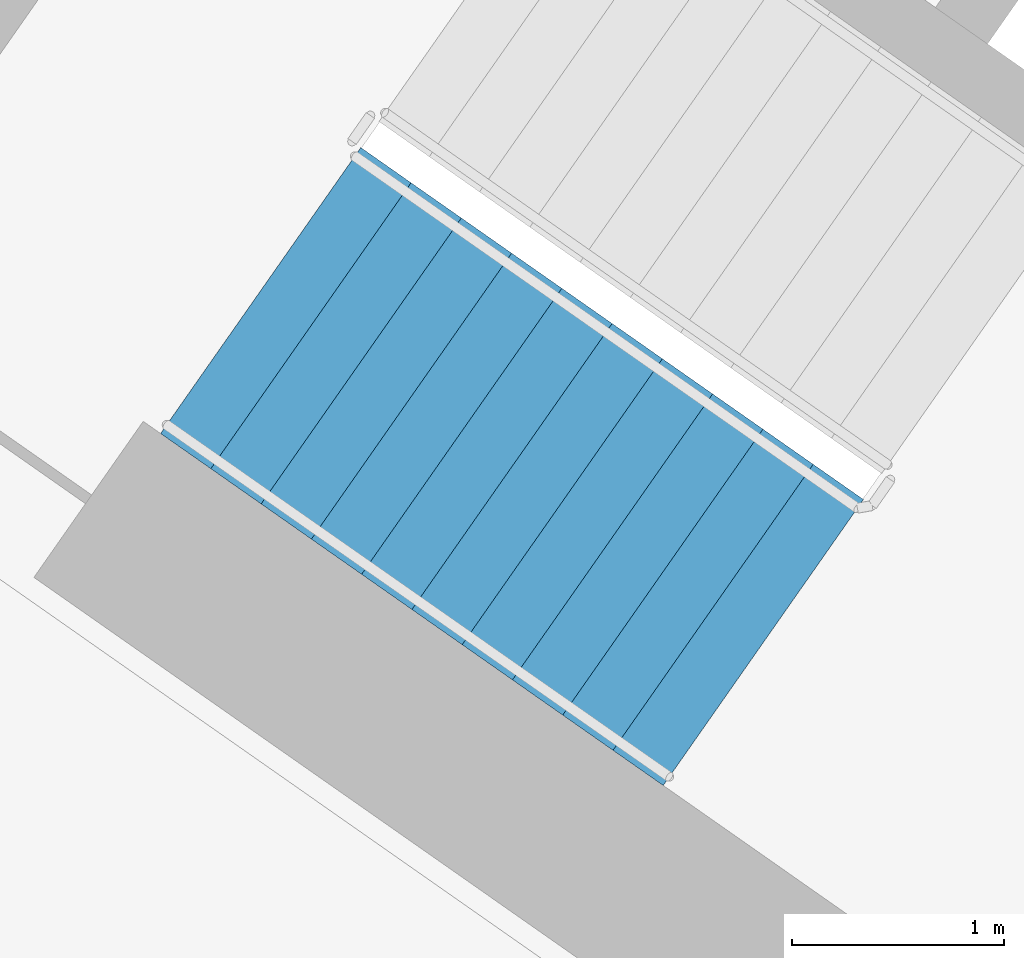
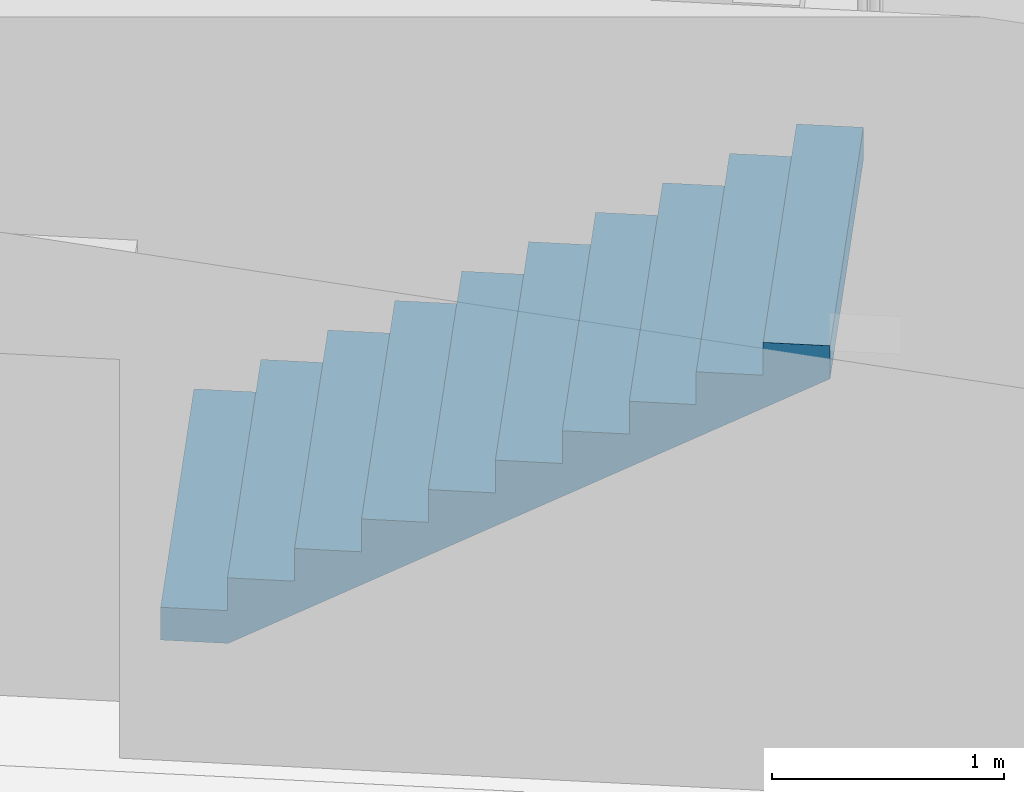
# One storey, part 10 of 31: 1 stair flight, 1 element without a shape of its own.
"""IFC4 building model written with IfcOpenShell, lengths in metres."""

from ifc_helpers import new_model, si_unit, direction, frame, origin, place, context, subcontext, project, spatial, faceted_brep, material, type_object, element, aggregate, save


model = new_model("IFC4")

# Units and contexts
model_context = context("Model", 3, precision=1e-05, world=origin(), true_north=direction((0.0, 1.0)))
body_context = subcontext(model_context, "Body", "Model", "MODEL_VIEW")
ifc_project = project(units=[si_unit("LENGTHUNIT", "METRE"), si_unit("AREAUNIT", "SQUARE_METRE"), si_unit("VOLUMEUNIT", "CUBIC_METRE"), si_unit("PLANEANGLEUNIT", "RADIAN"), si_unit("MASSUNIT", "GRAM", prefix="KILO")], contexts=[model_context])

# Site, building, storey
site_placement = place(None, origin())
site = spatial("IfcSite", under=ifc_project, at=site_placement, CompositionType="ELEMENT")
building_placement = place(site_placement, origin())
building = spatial("IfcBuilding", under=site, at=building_placement, Name="Qamariyya Broadcast Tower", CompositionType="ELEMENT")
storey_placement = place(building_placement, frame((0.0, 0.0, 55.699951171875)))
storey = spatial("IfcBuildingStorey", under=building, at=storey_placement, Name="L10", CompositionType="ELEMENT", Elevation=55.699951171875)

# Stair, stair flight
ifc_material = material(Name="Concrete C50/60", Category="concrete")
stair_type = type_object("IfcStairType", Name="Exit stair 22 risers of 173 mm", PredefinedType="HALF_TURN_STAIR", material=ifc_material)
stair_placement = place(storey_placement, origin())
stair = element("IfcStair", 1, at=stair_placement, inside=storey, type_object=stair_type, Name="L10 Stair W1", PredefinedType="HALF_TURN_STAIR")
stair_flight_type = type_object("IfcStairFlightType", Name="Exit stair flight 11 risers of 173 mm", PredefinedType="STRAIGHT", material=ifc_material)
stair_flight_placement = place(storey_placement, frame((-47.06884765625, -56.982666015625, 0.0), z_axis=(0.0, 0.0, 1.0), x_axis=(0.819152044289, -0.573576436351, 0.0)))
stair_flight = element("IfcStairFlight", 2, at=stair_flight_placement, type_object=stair_flight_type, Name="ST-W1 flight 1", NumberOfRisers=11, NumberOfTreads=10, PredefinedType="STRAIGHT", RiserHeight=0.172727273, TreadLength=0.29, context=body_context, shape_type="Brep", body=[
    faceted_brep([(0.0, 0.824951171875, 0.0), (0.0, 0.824951171875, 0.172607421875), (0.2900390625, 0.824951171875, 0.172607421875), (0.2900390625, 0.824951171875, 0.345458984375), (0.580078125, 0.824951171875, 0.345458984375), (0.580078125, 0.824951171875, 0.51806640625), (0.8701171875, 0.824951171875, 0.51806640625), (0.8701171875, 0.824951171875, 0.69091796875), (1.159912109375, 0.824951171875, 0.69091796875), (1.159912109375, 0.824951171875, 0.863525390625), (1.449951171875, 0.824951171875, 0.863525390625), (1.449951171875, 0.824951171875, 1.036376953125), (1.739990234375, 0.824951171875, 1.036376953125), (1.739990234375, 0.824951171875, 1.208984375), (2.030029296875, 0.824951171875, 1.208984375), (2.030029296875, 0.824951171875, 1.3818359375), (2.320068359375, 0.824951171875, 1.3818359375), (2.320068359375, 0.824951171875, 1.554443359375), (2.610107421875, 0.824951171875, 1.554443359375), (2.610107421875, 0.824951171875, 1.727294921875), (2.89990234375, 0.824951171875, 1.727294921875), (2.89990234375, 0.824951171875, 1.552734375), (0.29296875, 0.824951171875, 0.0), (0.29296875, -0.824951171875, 0.0), (2.89990234375, -0.824951171875, 1.552734375), (2.89990234375, -0.824951171875, 1.727294921875), (2.610107421875, -0.824951171875, 1.727294921875), (2.610107421875, -0.824951171875, 1.554443359375), (2.320068359375, -0.824951171875, 1.554443359375), (2.320068359375, -0.824951171875, 1.3818359375), (2.030029296875, -0.824951171875, 1.3818359375), (2.030029296875, -0.824951171875, 1.208984375), (1.739990234375, -0.824951171875, 1.208984375), (1.739990234375, -0.824951171875, 1.036376953125), (1.449951171875, -0.824951171875, 1.036376953125), (1.449951171875, -0.824951171875, 0.863525390625), (1.159912109375, -0.824951171875, 0.863525390625), (1.159912109375, -0.824951171875, 0.69091796875), (0.8701171875, -0.824951171875, 0.69091796875), (0.8701171875, -0.824951171875, 0.51806640625), (0.580078125, -0.824951171875, 0.51806640625), (0.580078125, -0.824951171875, 0.345458984375), (0.2900390625, -0.824951171875, 0.345458984375), (0.2900390625, -0.824951171875, 0.172607421875), (0.0, -0.824951171875, 0.172607421875), (0.0, -0.824951171875, 0.0), (0.0, 0.10009765625, 0.0), (0.0, 0.086669921875, 0.0), (0.0, 0.0732421875, 0.0), (0.0, 0.06005859375, 0.0), (0.0, 0.046630859375, 0.0), (0.0, 0.033447265625, 0.0), (0.0, 0.02001953125, 0.0), (0.0, 0.006591796875, 0.0), (0.0, -0.006591796875, 0.0), (0.0, -0.02001953125, 0.0), (0.0, -0.033447265625, 0.0), (0.0, -0.046630859375, 0.0), (0.0, -0.06005859375, 0.0), (0.0, -0.0732421875, 0.0), (0.0, -0.086669921875, 0.0), (0.0, -0.10009765625, 0.0), (0.0, -0.10009765625, 0.172607421875), (0.0, -0.086669921875, 0.172607421875), (0.0, -0.0732421875, 0.172607421875), (0.0, -0.06005859375, 0.172607421875), (0.0, -0.046630859375, 0.172607421875), (0.0, -0.033447265625, 0.172607421875), (0.0, -0.02001953125, 0.172607421875), (0.0, -0.006591796875, 0.172607421875), (0.0, 0.006591796875, 0.172607421875), (0.0, 0.02001953125, 0.172607421875), (0.0, 0.033447265625, 0.172607421875), (0.0, 0.046630859375, 0.172607421875), (0.0, 0.06005859375, 0.172607421875), (0.0, 0.0732421875, 0.172607421875), (0.0, 0.086669921875, 0.172607421875), (0.0, 0.10009765625, 0.172607421875), (0.2900390625, -0.10009765625, 0.172607421875), (0.2900390625, -0.086669921875, 0.172607421875), (0.2900390625, -0.0732421875, 0.172607421875), (0.2900390625, -0.06005859375, 0.172607421875), (0.2900390625, -0.046630859375, 0.172607421875), (0.2900390625, -0.033447265625, 0.172607421875), (0.2900390625, -0.02001953125, 0.172607421875), (0.2900390625, -0.006591796875, 0.172607421875), (0.2900390625, 0.006591796875, 0.172607421875), (0.2900390625, 0.02001953125, 0.172607421875), (0.2900390625, 0.033447265625, 0.172607421875), (0.2900390625, 0.046630859375, 0.172607421875), (0.2900390625, 0.06005859375, 0.172607421875), (0.2900390625, 0.0732421875, 0.172607421875), (0.2900390625, 0.086669921875, 0.172607421875), (0.2900390625, 0.10009765625, 0.172607421875), (0.2900390625, -0.10009765625, 0.345458984375), (0.2900390625, -0.086669921875, 0.345458984375), (0.2900390625, -0.0732421875, 0.345458984375), (0.2900390625, -0.06005859375, 0.345458984375), (0.2900390625, -0.046630859375, 0.345458984375), (0.2900390625, -0.033447265625, 0.345458984375), (0.2900390625, -0.02001953125, 0.345458984375), (0.2900390625, -0.006591796875, 0.345458984375), (0.2900390625, 0.006591796875, 0.345458984375), (0.2900390625, 0.02001953125, 0.345458984375), (0.2900390625, 0.033447265625, 0.345458984375), (0.2900390625, 0.046630859375, 0.345458984375), (0.2900390625, 0.06005859375, 0.345458984375), (0.2900390625, 0.0732421875, 0.345458984375), (0.2900390625, 0.086669921875, 0.345458984375), (0.2900390625, 0.10009765625, 0.345458984375), (0.580078125, -0.10009765625, 0.345458984375), (0.580078125, -0.086669921875, 0.345458984375), (0.580078125, -0.0732421875, 0.345458984375), (0.580078125, -0.06005859375, 0.345458984375), (0.580078125, -0.046630859375, 0.345458984375), (0.580078125, -0.033447265625, 0.345458984375), (0.580078125, -0.02001953125, 0.345458984375), (0.580078125, -0.006591796875, 0.345458984375), (0.580078125, 0.006591796875, 0.345458984375), (0.580078125, 0.02001953125, 0.345458984375), (0.580078125, 0.033447265625, 0.345458984375), (0.580078125, 0.046630859375, 0.345458984375), (0.580078125, 0.06005859375, 0.345458984375), (0.580078125, 0.0732421875, 0.345458984375), (0.580078125, 0.086669921875, 0.345458984375), (0.580078125, 0.10009765625, 0.345458984375), (0.580078125, -0.10009765625, 0.51806640625), (0.580078125, -0.086669921875, 0.51806640625), (0.580078125, -0.0732421875, 0.51806640625), (0.580078125, -0.06005859375, 0.51806640625), (0.580078125, -0.046630859375, 0.51806640625), (0.580078125, -0.033447265625, 0.51806640625), (0.580078125, -0.02001953125, 0.51806640625), (0.580078125, -0.006591796875, 0.51806640625), (0.580078125, 0.006591796875, 0.51806640625), (0.580078125, 0.02001953125, 0.51806640625), (0.580078125, 0.033447265625, 0.51806640625), (0.580078125, 0.046630859375, 0.51806640625), (0.580078125, 0.06005859375, 0.51806640625), (0.580078125, 0.0732421875, 0.51806640625), (0.580078125, 0.086669921875, 0.51806640625), (0.580078125, 0.10009765625, 0.51806640625), (0.8701171875, -0.10009765625, 0.51806640625), (0.8701171875, -0.086669921875, 0.51806640625), (0.8701171875, -0.0732421875, 0.51806640625), (0.8701171875, -0.06005859375, 0.51806640625), (0.8701171875, -0.046630859375, 0.51806640625), (0.8701171875, -0.033447265625, 0.51806640625), (0.8701171875, -0.02001953125, 0.51806640625), (0.8701171875, -0.006591796875, 0.51806640625), (0.8701171875, 0.006591796875, 0.51806640625), (0.8701171875, 0.02001953125, 0.51806640625), (0.8701171875, 0.033447265625, 0.51806640625), (0.8701171875, 0.046630859375, 0.51806640625), (0.8701171875, 0.06005859375, 0.51806640625), (0.8701171875, 0.0732421875, 0.51806640625), (0.8701171875, 0.086669921875, 0.51806640625), (0.8701171875, 0.10009765625, 0.51806640625), (0.8701171875, -0.10009765625, 0.69091796875), (0.8701171875, -0.086669921875, 0.69091796875), (0.8701171875, -0.0732421875, 0.69091796875), (0.8701171875, -0.06005859375, 0.69091796875), (0.8701171875, -0.046630859375, 0.69091796875), (0.8701171875, -0.033447265625, 0.69091796875), (0.8701171875, -0.02001953125, 0.69091796875), (0.8701171875, -0.006591796875, 0.69091796875), (0.8701171875, 0.006591796875, 0.69091796875), (0.8701171875, 0.02001953125, 0.69091796875), (0.8701171875, 0.033447265625, 0.69091796875), (0.8701171875, 0.046630859375, 0.69091796875), (0.8701171875, 0.06005859375, 0.69091796875), (0.8701171875, 0.0732421875, 0.69091796875), (0.8701171875, 0.086669921875, 0.69091796875), (0.8701171875, 0.10009765625, 0.69091796875), (1.159912109375, -0.10009765625, 0.69091796875), (1.159912109375, -0.086669921875, 0.69091796875), (1.159912109375, -0.0732421875, 0.69091796875), (1.159912109375, -0.06005859375, 0.69091796875), (1.159912109375, -0.046630859375, 0.69091796875), (1.159912109375, -0.033447265625, 0.69091796875), (1.159912109375, -0.02001953125, 0.69091796875), (1.159912109375, -0.006591796875, 0.69091796875), (1.159912109375, 0.006591796875, 0.69091796875), (1.159912109375, 0.02001953125, 0.69091796875), (1.159912109375, 0.033447265625, 0.69091796875), (1.159912109375, 0.046630859375, 0.69091796875), (1.159912109375, 0.06005859375, 0.69091796875), (1.159912109375, 0.0732421875, 0.69091796875), (1.159912109375, 0.086669921875, 0.69091796875), (1.159912109375, 0.10009765625, 0.69091796875), (1.159912109375, -0.10009765625, 0.863525390625), (1.159912109375, -0.086669921875, 0.863525390625), (1.159912109375, -0.0732421875, 0.863525390625), (1.159912109375, -0.06005859375, 0.863525390625), (1.159912109375, -0.046630859375, 0.863525390625), (1.159912109375, -0.033447265625, 0.863525390625), (1.159912109375, -0.02001953125, 0.863525390625), (1.159912109375, -0.006591796875, 0.863525390625), (1.159912109375, 0.006591796875, 0.863525390625), (1.159912109375, 0.02001953125, 0.863525390625), (1.159912109375, 0.033447265625, 0.863525390625), (1.159912109375, 0.046630859375, 0.863525390625), (1.159912109375, 0.06005859375, 0.863525390625), (1.159912109375, 0.0732421875, 0.863525390625), (1.159912109375, 0.086669921875, 0.863525390625), (1.159912109375, 0.10009765625, 0.863525390625), (1.449951171875, -0.10009765625, 0.863525390625), (1.449951171875, -0.086669921875, 0.863525390625), (1.449951171875, -0.0732421875, 0.863525390625), (1.449951171875, -0.06005859375, 0.863525390625), (1.449951171875, -0.046630859375, 0.863525390625), (1.449951171875, -0.033447265625, 0.863525390625), (1.449951171875, -0.02001953125, 0.863525390625), (1.449951171875, -0.006591796875, 0.863525390625), (1.449951171875, 0.006591796875, 0.863525390625), (1.449951171875, 0.02001953125, 0.863525390625), (1.449951171875, 0.033447265625, 0.863525390625), (1.449951171875, 0.046630859375, 0.863525390625), (1.449951171875, 0.06005859375, 0.863525390625), (1.449951171875, 0.0732421875, 0.863525390625), (1.449951171875, 0.086669921875, 0.863525390625), (1.449951171875, 0.10009765625, 0.863525390625), (1.449951171875, -0.10009765625, 1.036376953125), (1.449951171875, -0.086669921875, 1.036376953125), (1.449951171875, -0.0732421875, 1.036376953125), (1.449951171875, -0.06005859375, 1.036376953125), (1.449951171875, -0.046630859375, 1.036376953125), (1.449951171875, -0.033447265625, 1.036376953125), (1.449951171875, -0.02001953125, 1.036376953125), (1.449951171875, -0.006591796875, 1.036376953125), (1.449951171875, 0.006591796875, 1.036376953125), (1.449951171875, 0.02001953125, 1.036376953125), (1.449951171875, 0.033447265625, 1.036376953125), (1.449951171875, 0.046630859375, 1.036376953125), (1.449951171875, 0.06005859375, 1.036376953125), (1.449951171875, 0.0732421875, 1.036376953125), (1.449951171875, 0.086669921875, 1.036376953125), (1.449951171875, 0.10009765625, 1.036376953125), (1.739990234375, -0.10009765625, 1.036376953125), (1.739990234375, -0.086669921875, 1.036376953125), (1.739990234375, -0.0732421875, 1.036376953125), (1.739990234375, -0.06005859375, 1.036376953125), (1.739990234375, -0.046630859375, 1.036376953125), (1.739990234375, -0.033447265625, 1.036376953125), (1.739990234375, -0.02001953125, 1.036376953125), (1.739990234375, -0.006591796875, 1.036376953125), (1.739990234375, 0.006591796875, 1.036376953125), (1.739990234375, 0.02001953125, 1.036376953125), (1.739990234375, 0.033447265625, 1.036376953125), (1.739990234375, 0.046630859375, 1.036376953125), (1.739990234375, 0.06005859375, 1.036376953125), (1.739990234375, 0.0732421875, 1.036376953125), (1.739990234375, 0.086669921875, 1.036376953125), (1.739990234375, 0.10009765625, 1.036376953125), (1.739990234375, -0.10009765625, 1.208984375), (1.739990234375, -0.086669921875, 1.208984375), (1.739990234375, -0.0732421875, 1.208984375), (1.739990234375, -0.06005859375, 1.208984375), (1.739990234375, -0.046630859375, 1.208984375), (1.739990234375, -0.033447265625, 1.208984375), (1.739990234375, -0.02001953125, 1.208984375), (1.739990234375, -0.006591796875, 1.208984375), (1.739990234375, 0.006591796875, 1.208984375), (1.739990234375, 0.02001953125, 1.208984375), (1.739990234375, 0.033447265625, 1.208984375), (1.739990234375, 0.046630859375, 1.208984375), (1.739990234375, 0.06005859375, 1.208984375), (1.739990234375, 0.0732421875, 1.208984375), (1.739990234375, 0.086669921875, 1.208984375), (1.739990234375, 0.10009765625, 1.208984375), (2.030029296875, -0.10009765625, 1.208984375), (2.030029296875, -0.086669921875, 1.208984375), (2.030029296875, -0.0732421875, 1.208984375), (2.030029296875, -0.06005859375, 1.208984375), (2.030029296875, -0.046630859375, 1.208984375), (2.030029296875, -0.033447265625, 1.208984375), (2.030029296875, -0.02001953125, 1.208984375), (2.030029296875, -0.006591796875, 1.208984375), (2.030029296875, 0.006591796875, 1.208984375), (2.030029296875, 0.02001953125, 1.208984375), (2.030029296875, 0.033447265625, 1.208984375), (2.030029296875, 0.046630859375, 1.208984375), (2.030029296875, 0.06005859375, 1.208984375), (2.030029296875, 0.0732421875, 1.208984375), (2.030029296875, 0.086669921875, 1.208984375), (2.030029296875, 0.10009765625, 1.208984375), (2.030029296875, -0.10009765625, 1.3818359375), (2.030029296875, -0.086669921875, 1.3818359375), (2.030029296875, -0.0732421875, 1.3818359375), (2.030029296875, -0.06005859375, 1.3818359375), (2.030029296875, -0.046630859375, 1.3818359375), (2.030029296875, -0.033447265625, 1.3818359375), (2.030029296875, -0.02001953125, 1.3818359375), (2.030029296875, -0.006591796875, 1.3818359375), (2.030029296875, 0.006591796875, 1.3818359375), (2.030029296875, 0.02001953125, 1.3818359375), (2.030029296875, 0.033447265625, 1.3818359375), (2.030029296875, 0.046630859375, 1.3818359375), (2.030029296875, 0.06005859375, 1.3818359375), (2.030029296875, 0.0732421875, 1.3818359375), (2.030029296875, 0.086669921875, 1.3818359375), (2.030029296875, 0.10009765625, 1.3818359375), (2.320068359375, -0.10009765625, 1.3818359375), (2.320068359375, -0.086669921875, 1.3818359375), (2.320068359375, -0.0732421875, 1.3818359375), (2.320068359375, -0.06005859375, 1.3818359375), (2.320068359375, -0.046630859375, 1.3818359375), (2.320068359375, -0.033447265625, 1.3818359375), (2.320068359375, -0.02001953125, 1.3818359375), (2.320068359375, -0.006591796875, 1.3818359375), (2.320068359375, 0.006591796875, 1.3818359375), (2.320068359375, 0.02001953125, 1.3818359375), (2.320068359375, 0.033447265625, 1.3818359375), (2.320068359375, 0.046630859375, 1.3818359375), (2.320068359375, 0.06005859375, 1.3818359375), (2.320068359375, 0.0732421875, 1.3818359375), (2.320068359375, 0.086669921875, 1.3818359375), (2.320068359375, 0.10009765625, 1.3818359375), (2.320068359375, -0.10009765625, 1.554443359375), (2.320068359375, -0.086669921875, 1.554443359375), (2.320068359375, -0.0732421875, 1.554443359375), (2.320068359375, -0.06005859375, 1.554443359375), (2.320068359375, -0.046630859375, 1.554443359375), (2.320068359375, -0.033447265625, 1.554443359375), (2.320068359375, -0.02001953125, 1.554443359375), (2.320068359375, -0.006591796875, 1.554443359375), (2.320068359375, 0.006591796875, 1.554443359375), (2.320068359375, 0.02001953125, 1.554443359375), (2.320068359375, 0.033447265625, 1.554443359375), (2.320068359375, 0.046630859375, 1.554443359375), (2.320068359375, 0.06005859375, 1.554443359375), (2.320068359375, 0.0732421875, 1.554443359375), (2.320068359375, 0.086669921875, 1.554443359375), (2.320068359375, 0.10009765625, 1.554443359375), (2.610107421875, -0.10009765625, 1.554443359375), (2.610107421875, -0.086669921875, 1.554443359375), (2.610107421875, -0.0732421875, 1.554443359375), (2.610107421875, -0.06005859375, 1.554443359375), (2.610107421875, -0.046630859375, 1.554443359375), (2.610107421875, -0.033447265625, 1.554443359375), (2.610107421875, -0.02001953125, 1.554443359375), (2.610107421875, -0.006591796875, 1.554443359375), (2.610107421875, 0.006591796875, 1.554443359375), (2.610107421875, 0.02001953125, 1.554443359375), (2.610107421875, 0.033447265625, 1.554443359375), (2.610107421875, 0.046630859375, 1.554443359375), (2.610107421875, 0.06005859375, 1.554443359375), (2.610107421875, 0.0732421875, 1.554443359375), (2.610107421875, 0.086669921875, 1.554443359375), (2.610107421875, 0.10009765625, 1.554443359375), (2.610107421875, -0.10009765625, 1.727294921875), (2.610107421875, -0.086669921875, 1.727294921875), (2.610107421875, -0.0732421875, 1.727294921875), (2.610107421875, -0.06005859375, 1.727294921875), (2.610107421875, -0.046630859375, 1.727294921875), (2.610107421875, -0.033447265625, 1.727294921875), (2.610107421875, -0.02001953125, 1.727294921875), (2.610107421875, -0.006591796875, 1.727294921875), (2.610107421875, 0.006591796875, 1.727294921875), (2.610107421875, 0.02001953125, 1.727294921875), (2.610107421875, 0.033447265625, 1.727294921875), (2.610107421875, 0.046630859375, 1.727294921875), (2.610107421875, 0.06005859375, 1.727294921875), (2.610107421875, 0.0732421875, 1.727294921875), (2.610107421875, 0.086669921875, 1.727294921875), (2.610107421875, 0.10009765625, 1.727294921875), (2.89990234375, -0.10009765625, 1.727294921875), (2.89990234375, -0.086669921875, 1.727294921875), (2.89990234375, -0.0732421875, 1.727294921875), (2.89990234375, -0.06005859375, 1.727294921875), (2.89990234375, -0.046630859375, 1.727294921875), (2.89990234375, -0.033447265625, 1.727294921875), (2.89990234375, -0.02001953125, 1.727294921875), (2.89990234375, -0.006591796875, 1.727294921875), (2.89990234375, 0.006591796875, 1.727294921875), (2.89990234375, 0.02001953125, 1.727294921875), (2.89990234375, 0.033447265625, 1.727294921875), (2.89990234375, 0.046630859375, 1.727294921875), (2.89990234375, 0.06005859375, 1.727294921875), (2.89990234375, 0.0732421875, 1.727294921875), (2.89990234375, 0.086669921875, 1.727294921875), (2.89990234375, 0.10009765625, 1.727294921875), (2.89990234375, -0.10009765625, 1.552734375), (2.89990234375, -0.086669921875, 1.552734375), (2.89990234375, -0.0732421875, 1.552734375), (2.89990234375, -0.06005859375, 1.552734375), (2.89990234375, -0.046630859375, 1.552734375), (2.89990234375, -0.033447265625, 1.552734375), (2.89990234375, -0.02001953125, 1.552734375), (2.89990234375, -0.006591796875, 1.552734375), (2.89990234375, 0.006591796875, 1.552734375), (2.89990234375, 0.02001953125, 1.552734375), (2.89990234375, 0.033447265625, 1.552734375), (2.89990234375, 0.046630859375, 1.552734375), (2.89990234375, 0.06005859375, 1.552734375), (2.89990234375, 0.0732421875, 1.552734375), (2.89990234375, 0.086669921875, 1.552734375), (2.89990234375, 0.10009765625, 1.552734375), (0.29296875, -0.10009765625, 0.0), (0.29296875, -0.086669921875, 0.0), (0.29296875, -0.0732421875, 0.0), (0.29296875, -0.06005859375, 0.0), (0.29296875, -0.046630859375, 0.0), (0.29296875, -0.033447265625, 0.0), (0.29296875, -0.02001953125, 0.0), (0.29296875, -0.006591796875, 0.0), (0.29296875, 0.006591796875, 0.0), (0.29296875, 0.02001953125, 0.0), (0.29296875, 0.033447265625, 0.0), (0.29296875, 0.046630859375, 0.0), (0.29296875, 0.06005859375, 0.0), (0.29296875, 0.0732421875, 0.0), (0.29296875, 0.086669921875, 0.0), (0.29296875, 0.10009765625, 0.0)], [[[0, 1, 2, 3, 4, 5, 6, 7, 8, 9, 10, 11, 12, 13, 14, 15, 16, 17, 18, 19, 20, 21, 22]], [[23, 24, 25, 26, 27, 28, 29, 30, 31, 32, 33, 34, 35, 36, 37, 38, 39, 40, 41, 42, 43, 44, 45]], [[0, 46, 47, 48, 49, 50, 51, 52, 53, 54, 55, 56, 57, 58, 59, 60, 61, 45, 44, 62, 63, 64, 65, 66, 67, 68, 69, 70, 71, 72, 73, 74, 75, 76, 77, 1]], [[1, 77, 76, 75, 74, 73, 72, 71, 70, 69, 68, 67, 66, 65, 64, 63, 62, 44, 43, 78, 79, 80, 81, 82, 83, 84, 85, 86, 87, 88, 89, 90, 91, 92, 93, 2]], [[2, 93, 92, 91, 90, 89, 88, 87, 86, 85, 84, 83, 82, 81, 80, 79, 78, 43, 42, 94, 95, 96, 97, 98, 99, 100, 101, 102, 103, 104, 105, 106, 107, 108, 109, 3]], [[3, 109, 108, 107, 106, 105, 104, 103, 102, 101, 100, 99, 98, 97, 96, 95, 94, 42, 41, 110, 111, 112, 113, 114, 115, 116, 117, 118, 119, 120, 121, 122, 123, 124, 125, 4]], [[4, 125, 124, 123, 122, 121, 120, 119, 118, 117, 116, 115, 114, 113, 112, 111, 110, 41, 40, 126, 127, 128, 129, 130, 131, 132, 133, 134, 135, 136, 137, 138, 139, 140, 141, 5]], [[5, 141, 140, 139, 138, 137, 136, 135, 134, 133, 132, 131, 130, 129, 128, 127, 126, 40, 39, 142, 143, 144, 145, 146, 147, 148, 149, 150, 151, 152, 153, 154, 155, 156, 157, 6]], [[6, 157, 156, 155, 154, 153, 152, 151, 150, 149, 148, 147, 146, 145, 144, 143, 142, 39, 38, 158, 159, 160, 161, 162, 163, 164, 165, 166, 167, 168, 169, 170, 171, 172, 173, 7]], [[7, 173, 172, 171, 170, 169, 168, 167, 166, 165, 164, 163, 162, 161, 160, 159, 158, 38, 37, 174, 175, 176, 177, 178, 179, 180, 181, 182, 183, 184, 185, 186, 187, 188, 189, 8]], [[8, 189, 188, 187, 186, 185, 184, 183, 182, 181, 180, 179, 178, 177, 176, 175, 174, 37, 36, 190, 191, 192, 193, 194, 195, 196, 197, 198, 199, 200, 201, 202, 203, 204, 205, 9]], [[9, 205, 204, 203, 202, 201, 200, 199, 198, 197, 196, 195, 194, 193, 192, 191, 190, 36, 35, 206, 207, 208, 209, 210, 211, 212, 213, 214, 215, 216, 217, 218, 219, 220, 221, 10]], [[10, 221, 220, 219, 218, 217, 216, 215, 214, 213, 212, 211, 210, 209, 208, 207, 206, 35, 34, 222, 223, 224, 225, 226, 227, 228, 229, 230, 231, 232, 233, 234, 235, 236, 237, 11]], [[11, 237, 236, 235, 234, 233, 232, 231, 230, 229, 228, 227, 226, 225, 224, 223, 222, 34, 33, 238, 239, 240, 241, 242, 243, 244, 245, 246, 247, 248, 249, 250, 251, 252, 253, 12]], [[12, 253, 252, 251, 250, 249, 248, 247, 246, 245, 244, 243, 242, 241, 240, 239, 238, 33, 32, 254, 255, 256, 257, 258, 259, 260, 261, 262, 263, 264, 265, 266, 267, 268, 269, 13]], [[13, 269, 268, 267, 266, 265, 264, 263, 262, 261, 260, 259, 258, 257, 256, 255, 254, 32, 31, 270, 271, 272, 273, 274, 275, 276, 277, 278, 279, 280, 281, 282, 283, 284, 285, 14]], [[14, 285, 284, 283, 282, 281, 280, 279, 278, 277, 276, 275, 274, 273, 272, 271, 270, 31, 30, 286, 287, 288, 289, 290, 291, 292, 293, 294, 295, 296, 297, 298, 299, 300, 301, 15]], [[15, 301, 300, 299, 298, 297, 296, 295, 294, 293, 292, 291, 290, 289, 288, 287, 286, 30, 29, 302, 303, 304, 305, 306, 307, 308, 309, 310, 311, 312, 313, 314, 315, 316, 317, 16]], [[16, 317, 316, 315, 314, 313, 312, 311, 310, 309, 308, 307, 306, 305, 304, 303, 302, 29, 28, 318, 319, 320, 321, 322, 323, 324, 325, 326, 327, 328, 329, 330, 331, 332, 333, 17]], [[17, 333, 332, 331, 330, 329, 328, 327, 326, 325, 324, 323, 322, 321, 320, 319, 318, 28, 27, 334, 335, 336, 337, 338, 339, 340, 341, 342, 343, 344, 345, 346, 347, 348, 349, 18]], [[18, 349, 348, 347, 346, 345, 344, 343, 342, 341, 340, 339, 338, 337, 336, 335, 334, 27, 26, 350, 351, 352, 353, 354, 355, 356, 357, 358, 359, 360, 361, 362, 363, 364, 365, 19]], [[19, 365, 364, 363, 362, 361, 360, 359, 358, 357, 356, 355, 354, 353, 352, 351, 350, 26, 25, 366, 367, 368, 369, 370, 371, 372, 373, 374, 375, 376, 377, 378, 379, 380, 381, 20]], [[20, 381, 380, 379, 378, 377, 376, 375, 374, 373, 372, 371, 370, 369, 368, 367, 366, 25, 24, 382, 383, 384, 385, 386, 387, 388, 389, 390, 391, 392, 393, 394, 395, 396, 397, 21]], [[21, 397, 396, 395, 394, 393, 392, 391, 390, 389, 388, 387, 386, 385, 384, 383, 382, 24, 23, 398, 399, 400, 401, 402, 403, 404, 405, 406, 407, 408, 409, 410, 411, 412, 413, 22]], [[22, 413, 412, 411, 410, 409, 408, 407, 406, 405, 404, 403, 402, 401, 400, 399, 398, 23, 45, 61, 60, 59, 58, 57, 56, 55, 54, 53, 52, 51, 50, 49, 48, 47, 46, 0]]]),
])
aggregate(stair, [stair_flight])

save(model, "model.ifc")
